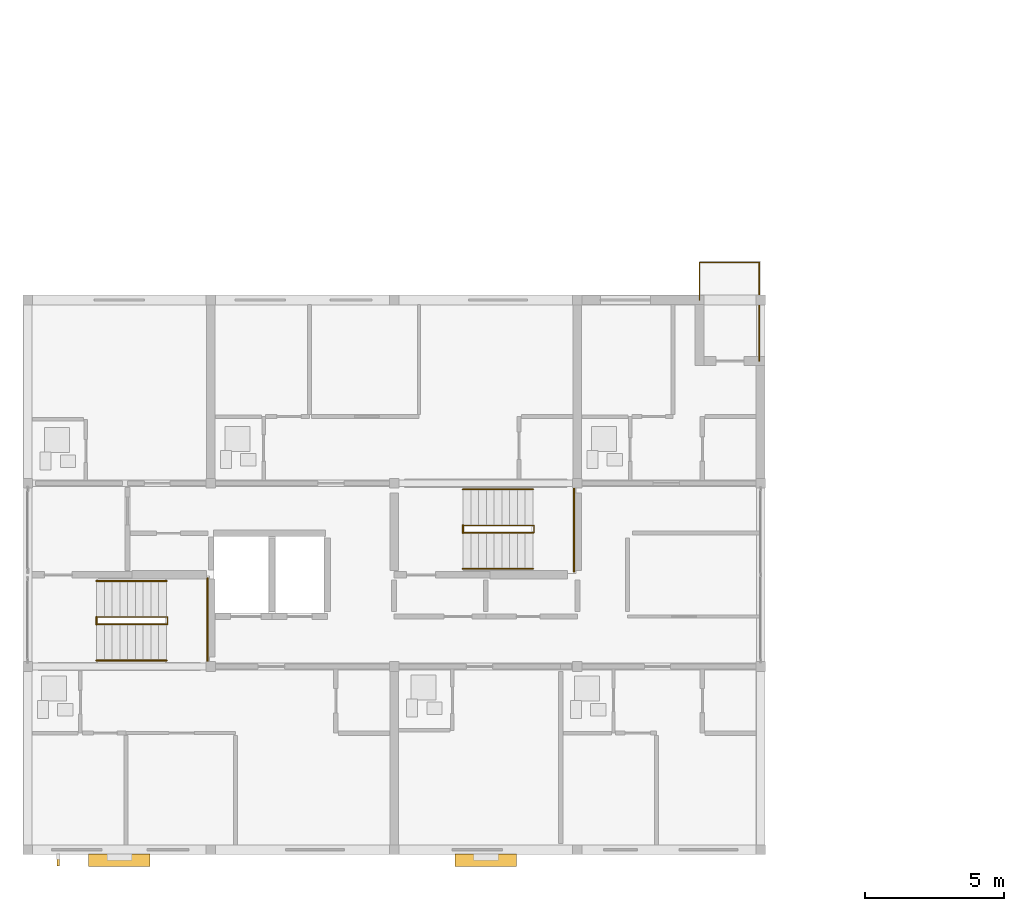
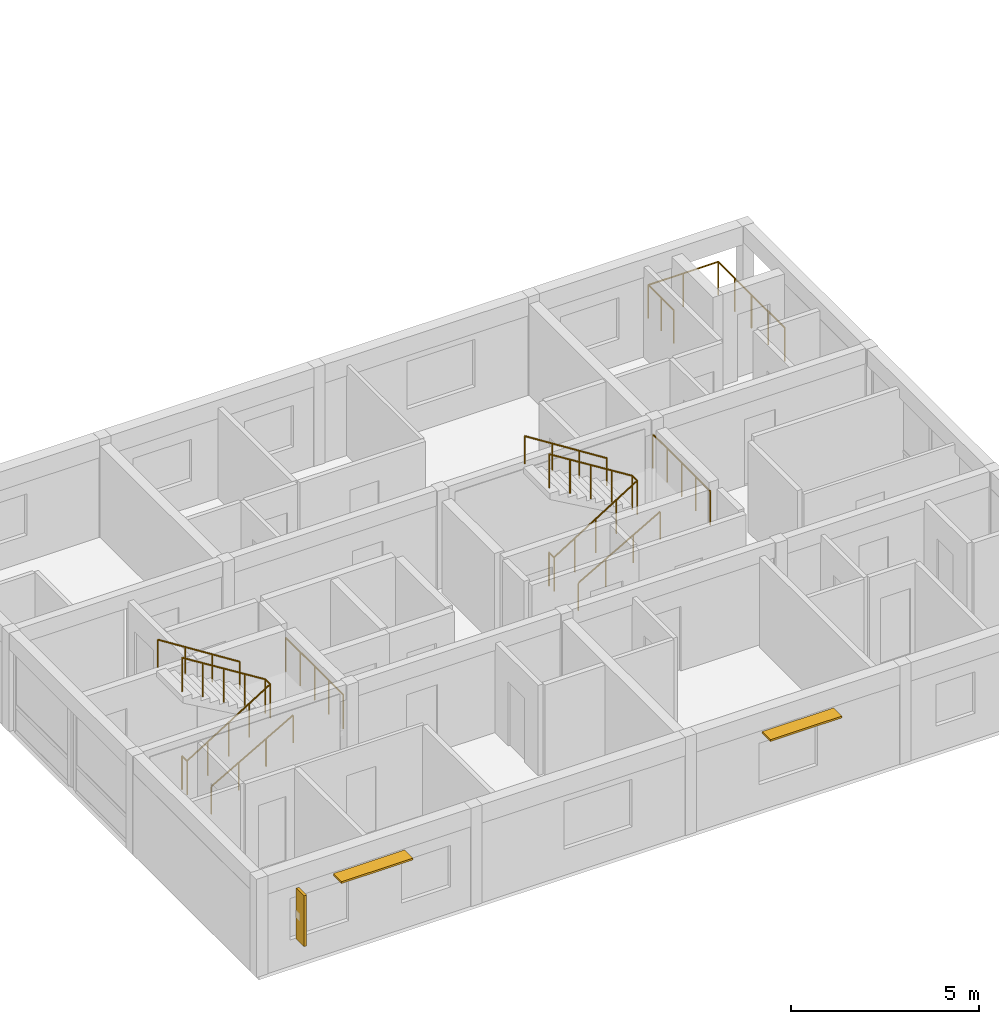
# One storey, part 47 of 53: 11 railings, 3 shading devices.
"""IFC4 building model written with IfcOpenShell, lengths in metres."""

from ifc_helpers import new_model, si_unit, direction, frame, origin, origin_2d, place, context, subcontext, project, spatial, rectangle, circle, extrude, material, layer, layer_set, type_object, element, save


model = new_model("IFC4")

# Units and contexts
model_context = context("Model", 3, precision=1e-05, world=origin(), true_north=direction((0.0, 1.0)))
body_context = subcontext(model_context, "Body", "Model", "MODEL_VIEW")
ifc_project = project(units=[si_unit("LENGTHUNIT", "METRE"), si_unit("AREAUNIT", "SQUARE_METRE"), si_unit("VOLUMEUNIT", "CUBIC_METRE"), si_unit("PLANEANGLEUNIT", "RADIAN"), si_unit("MASSUNIT", "GRAM", prefix="KILO")], contexts=[model_context])

# Site, building, storey
site_placement = place(None, origin())
site = spatial("IfcSite", under=ifc_project, at=site_placement, CompositionType="ELEMENT")
building_placement = place(site_placement, origin())
building = spatial("IfcBuilding", under=site, at=building_placement, Name="Kernevlak Ridge Housing Community", CompositionType="ELEMENT")
storey_placement = place(building_placement, frame((0.0, 0.0, 24.39990234375)))
storey = spatial("IfcBuildingStorey", under=building, at=storey_placement, Name="L07", CompositionType="ELEMENT", Elevation=24.39990234375)

# Railings
ifc_material_1 = material(Name="Steel S355", Category="steel")
railing_type_1 = type_object("IfcRailingType", Name="BL-01", PredefinedType="BALUSTRADE", material=ifc_material_1)
railing_1_placement = place(storey_placement, frame((39.800048828125, 35.39990234375, 0.0)))
element("IfcRailing", 1, at=railing_1_placement, inside=storey, type_object=railing_type_1, Name="Block D L07 balcony balustrade BL-01 53", PredefinedType="BALUSTRADE", context=body_context, shape_type="SweptSolid", body=[
    extrude(circle(Radius=0.02392578125, at=origin_2d()), frame((0.0, 0.0, 1.076171875), z_axis=(0.0, 1.0, 0.0), x_axis=(-1.0, 0.0, 0.0)), (0.0, 0.0, 1.0), 1.35009765625),
    extrude(circle(Radius=0.02392578125, at=origin_2d()), frame((0.0, 1.35009765625, 1.076171875), z_axis=(1.0, 0.0, 0.0), x_axis=(0.0, 1.0, 0.0)), (0.0, 0.0, 1.0), 2.14990234375),
    extrude(circle(Radius=0.02392578125, at=origin_2d()), frame((2.14990234375, 1.35009765625, 1.076171875), z_axis=(0.0, -1.0, 0.0), x_axis=(1.0, 0.0, 0.0)), (0.0, 0.0, 1.0), 3.550048828125),
    extrude(circle(Radius=0.02099609375, at=origin_2d()), origin(), (0.0, 0.0, 1.0), 1.052001953125),
    extrude(circle(Radius=0.02099609375, at=origin_2d()), frame((0.0, 0.675048828125, 0.0)), (0.0, 0.0, 1.0), 1.052001953125),
    extrude(circle(Radius=0.02099609375, at=origin_2d()), frame((0.0, 1.35009765625, 0.0)), (0.0, 0.0, 1.0), 1.052001953125),
    extrude(circle(Radius=0.02099609375, at=origin_2d()), frame((1.074951171875, 1.35009765625, 0.0)), (0.0, 0.0, 1.0), 1.052001953125),
    extrude(circle(Radius=0.02099609375, at=origin_2d()), frame((2.14990234375, 1.35009765625, 0.0)), (0.0, 0.0, 1.0), 1.052001953125),
    extrude(circle(Radius=0.02099609375, at=origin_2d()), frame((2.14990234375, 0.462646484375, 0.0)), (0.0, 0.0, 1.0), 1.052001953125),
    extrude(circle(Radius=0.02099609375, at=origin_2d()), frame((2.14990234375, -0.4248046875, 0.0)), (0.0, 0.0, 1.0), 1.052001953125),
    extrude(circle(Radius=0.02099609375, at=origin_2d()), frame((2.14990234375, -1.3125, 0.0)), (0.0, 0.0, 1.0), 1.052001953125),
    extrude(circle(Radius=0.02099609375, at=origin_2d()), frame((2.14990234375, -2.199951171875, 0.0)), (0.0, 0.0, 1.0), 1.052001953125),
])
railing_type_2 = type_object("IfcRailingType", Name="GR-02", PredefinedType="GUARDRAIL", material=ifc_material_1)
railing_2_placement = place(storey_placement, frame((18.080078125, 23.7099609375, 0.0)))
element("IfcRailing", 2, at=railing_2_placement, inside=storey, type_object=railing_type_2, Name="Stair ST-D1 L07 well slot guard", PredefinedType="GUARDRAIL", context=body_context, shape_type="SweptSolid", body=[
    extrude(circle(Radius=0.02392578125, at=origin_2d()), frame((0.0, 0.0, 1.09619140625), z_axis=(0.0, 1.0, 0.0), x_axis=(-1.0, 0.0, 0.0)), (0.0, 0.0, 1.0), 0.280029296875),
    extrude(circle(Radius=0.02099609375, at=origin_2d()), origin(), (0.0, 0.0, 1.0), 1.072021484375),
    extrude(circle(Radius=0.02099609375, at=origin_2d()), frame((0.0, 0.280029296875, 0.0)), (0.0, 0.0, 1.0), 1.072021484375),
])
railing_3_placement = place(storey_placement, frame((18.080078125, 23.719970703125, 0.0)))
element("IfcRailing", 3, at=railing_3_placement, inside=storey, type_object=railing_type_2, Name="Stair ST-D1 L07 inner well guardrail", PredefinedType="GUARDRAIL", context=body_context, shape_type="SweptSolid", body=[
    extrude(circle(Radius=0.02392578125, at=origin_2d()), frame((0.0, 0.0, 1.09619140625), z_axis=(0.847966497998, 0.0, 0.530049826217), x_axis=(0.0, 1.0, 0.0)), (0.0, 0.0, 1.0), 3.018798828125),
    extrude(circle(Radius=0.02392578125, at=origin_2d()), frame((2.559814453125, 0.0, 2.6962890625), z_axis=(0.0, 1.0, 0.0), x_axis=(-1.0, 0.0, 0.0)), (0.0, 0.0, 1.0), 0.260009765625),
    extrude(circle(Radius=0.02392578125, at=origin_2d()), frame((2.559814453125, 0.260009765625, 2.6962890625), z_axis=(-0.847966497998, 0.0, 0.530049826217), x_axis=(0.0, -1.0, 0.0)), (0.0, 0.0, 1.0), 3.018798828125),
    extrude(circle(Radius=0.02099609375, at=origin_2d()), origin(), (0.0, 0.0, 1.0), 1.072021484375),
    extrude(circle(Radius=0.02099609375, at=origin_2d()), frame((0.639892578125, 0.0, 0.39990234375)), (0.0, 0.0, 1.0), 1.072021484375),
    extrude(circle(Radius=0.02099609375, at=origin_2d()), frame((1.27978515625, 0.0, 0.800048828125)), (0.0, 0.0, 1.0), 1.072021484375),
    extrude(circle(Radius=0.02099609375, at=origin_2d()), frame((1.919921875, 0.0, 1.2001953125)), (0.0, 0.0, 1.0), 1.072021484375),
    extrude(circle(Radius=0.02099609375, at=origin_2d()), frame((2.559814453125, 0.0, 1.60009765625)), (0.0, 0.0, 1.0), 1.072021484375),
    extrude(circle(Radius=0.02099609375, at=origin_2d()), frame((2.559814453125, 0.260009765625, 1.60009765625)), (0.0, 0.0, 1.0), 1.072021484375),
    extrude(circle(Radius=0.02099609375, at=origin_2d()), frame((1.919921875, 0.260009765625, 2.0)), (0.0, 0.0, 1.0), 1.072021484375),
    extrude(circle(Radius=0.02099609375, at=origin_2d()), frame((1.27978515625, 0.260009765625, 2.400146484375)), (0.0, 0.0, 1.0), 1.072021484375),
    extrude(circle(Radius=0.02099609375, at=origin_2d()), frame((0.639892578125, 0.260009765625, 2.80029296875)), (0.0, 0.0, 1.0), 1.072021484375),
    extrude(circle(Radius=0.02099609375, at=origin_2d()), frame((0.0, 0.260009765625, 3.2001953125)), (0.0, 0.0, 1.0), 1.072021484375),
])
railing_4_placement = place(storey_placement, frame((22.080078125, 22.320068359375, 1.60009765625)))
element("IfcRailing", 4, at=railing_4_placement, inside=storey, type_object=railing_type_2, Name="Stair ST-D1 L07 half-landing guard", PredefinedType="GUARDRAIL", context=body_context, shape_type="SweptSolid", body=[
    extrude(circle(Radius=0.02392578125, at=origin_2d()), frame((0.0, 0.0, 1.09619140625), z_axis=(0.0, 1.0, 0.0), x_axis=(-1.0, 0.0, 0.0)), (0.0, 0.0, 1.0), 3.059814453125),
    extrude(circle(Radius=0.02099609375, at=origin_2d()), origin(), (0.0, 0.0, 1.0), 1.072021484375),
    extrude(circle(Radius=0.02099609375, at=origin_2d()), frame((0.0, 0.764892578125, 0.0)), (0.0, 0.0, 1.0), 1.072021484375),
    extrude(circle(Radius=0.02099609375, at=origin_2d()), frame((0.0, 1.52978515625, 0.0)), (0.0, 0.0, 1.0), 1.072021484375),
    extrude(circle(Radius=0.02099609375, at=origin_2d()), frame((0.0, 2.294921875, 0.0)), (0.0, 0.0, 1.0), 1.072021484375),
    extrude(circle(Radius=0.02099609375, at=origin_2d()), frame((0.0, 3.059814453125, 0.0)), (0.0, 0.0, 1.0), 1.072021484375),
])
railing_5_placement = place(storey_placement, frame((31.280029296875, 27.010009765625, 0.0)))
element("IfcRailing", 5, at=railing_5_placement, inside=storey, type_object=railing_type_2, Name="Stair ST-D2 L07 well slot guard", PredefinedType="GUARDRAIL", context=body_context, shape_type="SweptSolid", body=[
    extrude(circle(Radius=0.02392578125, at=origin_2d()), frame((0.0, 0.0, 1.09619140625), z_axis=(0.0, 1.0, 0.0), x_axis=(-1.0, 0.0, 0.0)), (0.0, 0.0, 1.0), 0.280029296875),
    extrude(circle(Radius=0.02099609375, at=origin_2d()), origin(), (0.0, 0.0, 1.0), 1.072021484375),
    extrude(circle(Radius=0.02099609375, at=origin_2d()), frame((0.0, 0.280029296875, 0.0)), (0.0, 0.0, 1.0), 1.072021484375),
])
railing_6_placement = place(storey_placement, frame((31.280029296875, 27.02001953125, 0.0)))
element("IfcRailing", 6, at=railing_6_placement, inside=storey, type_object=railing_type_2, Name="Stair ST-D2 L07 inner well guardrail", PredefinedType="GUARDRAIL", context=body_context, shape_type="SweptSolid", body=[
    extrude(circle(Radius=0.02392578125, at=origin_2d()), frame((0.0, 0.0, 1.09619140625), z_axis=(0.847989217509, 0.0, 0.530013478119), x_axis=(0.0, 1.0, 0.0)), (0.0, 0.0, 1.0), 3.01904296875),
    extrude(circle(Radius=0.02392578125, at=origin_2d()), frame((2.56005859375, 0.0, 2.6962890625), z_axis=(0.0, 1.0, 0.0), x_axis=(-1.0, 0.0, 0.0)), (0.0, 0.0, 1.0), 0.260009765625),
    extrude(circle(Radius=0.02392578125, at=origin_2d()), frame((2.56005859375, 0.260009765625, 2.6962890625), z_axis=(-0.847989217509, 0.0, 0.530013478119), x_axis=(0.0, -1.0, 0.0)), (0.0, 0.0, 1.0), 3.01904296875),
    extrude(circle(Radius=0.02099609375, at=origin_2d()), origin(), (0.0, 0.0, 1.0), 1.072021484375),
    extrude(circle(Radius=0.02099609375, at=origin_2d()), frame((0.64013671875, 0.0, 0.39990234375)), (0.0, 0.0, 1.0), 1.072021484375),
    extrude(circle(Radius=0.02099609375, at=origin_2d()), frame((1.280029296875, 0.0, 0.800048828125)), (0.0, 0.0, 1.0), 1.072021484375),
    extrude(circle(Radius=0.02099609375, at=origin_2d()), frame((1.919921875, 0.0, 1.2001953125)), (0.0, 0.0, 1.0), 1.072021484375),
    extrude(circle(Radius=0.02099609375, at=origin_2d()), frame((2.56005859375, 0.0, 1.60009765625)), (0.0, 0.0, 1.0), 1.072021484375),
    extrude(circle(Radius=0.02099609375, at=origin_2d()), frame((2.56005859375, 0.260009765625, 1.60009765625)), (0.0, 0.0, 1.0), 1.072021484375),
    extrude(circle(Radius=0.02099609375, at=origin_2d()), frame((1.919921875, 0.260009765625, 2.0)), (0.0, 0.0, 1.0), 1.072021484375),
    extrude(circle(Radius=0.02099609375, at=origin_2d()), frame((1.280029296875, 0.260009765625, 2.400146484375)), (0.0, 0.0, 1.0), 1.072021484375),
    extrude(circle(Radius=0.02099609375, at=origin_2d()), frame((0.64013671875, 0.260009765625, 2.80029296875)), (0.0, 0.0, 1.0), 1.072021484375),
    extrude(circle(Radius=0.02099609375, at=origin_2d()), frame((0.0, 0.260009765625, 3.2001953125)), (0.0, 0.0, 1.0), 1.072021484375),
])
railing_7_placement = place(storey_placement, frame((35.280029296875, 25.6201171875, 1.60009765625)))
element("IfcRailing", 7, at=railing_7_placement, inside=storey, type_object=railing_type_2, Name="Stair ST-D2 L07 half-landing guard", PredefinedType="GUARDRAIL", context=body_context, shape_type="SweptSolid", body=[
    extrude(circle(Radius=0.02392578125, at=origin_2d()), frame((0.0, 0.0, 1.09619140625), z_axis=(0.0, 1.0, 0.0), x_axis=(-1.0, 0.0, 0.0)), (0.0, 0.0, 1.0), 3.059814453125),
    extrude(circle(Radius=0.02099609375, at=origin_2d()), origin(), (0.0, 0.0, 1.0), 1.072021484375),
    extrude(circle(Radius=0.02099609375, at=origin_2d()), frame((0.0, 0.764892578125, 0.0)), (0.0, 0.0, 1.0), 1.072021484375),
    extrude(circle(Radius=0.02099609375, at=origin_2d()), frame((0.0, 1.52978515625, 0.0)), (0.0, 0.0, 1.0), 1.072021484375),
    extrude(circle(Radius=0.02099609375, at=origin_2d()), frame((0.0, 2.294921875, 0.0)), (0.0, 0.0, 1.0), 1.072021484375),
    extrude(circle(Radius=0.02099609375, at=origin_2d()), frame((0.0, 3.059814453125, 0.0)), (0.0, 0.0, 1.0), 1.072021484375),
])
ifc_material_2 = material(Name="Stainless steel EN 1.4401", Category="steel")
railing_type_3 = type_object("IfcRailingType", Name="HR-01", PredefinedType="HANDRAIL", material=ifc_material_2)
railing_8_placement = place(storey_placement, frame((18.080078125, 22.419921875, 0.16015625)))
element("IfcRailing", 8, at=railing_8_placement, inside=storey, type_object=railing_type_3, Name="Stair ST-D1 L07 flight 1 handrail", PredefinedType="HANDRAIL", context=body_context, shape_type="SweptSolid", body=[
    extrude(circle(Radius=0.02392578125, at=origin_2d()), frame((0.0, 0.0, 0.89599609375), z_axis=(0.868253494771, 0.0, 0.496120820787), x_axis=(0.0, 1.0, 0.0)), (0.0, 0.0, 1.0), 2.90234375),
    extrude(circle(Radius=0.02099609375, at=origin_2d()), origin(), (0.0, 0.0, 1.0), 0.871826171875),
    extrude(circle(Radius=0.02099609375, at=origin_2d()), frame((0.840087890625, 0.0, 0.47998046875)), (0.0, 0.0, 1.0), 0.871826171875),
    extrude(circle(Radius=0.02099609375, at=origin_2d()), frame((1.679931640625, 0.0, 0.9599609375)), (0.0, 0.0, 1.0), 0.871826171875),
    extrude(circle(Radius=0.02099609375, at=origin_2d()), frame((2.52001953125, 0.0, 1.43994140625)), (0.0, 0.0, 1.0), 0.871826171875),
])
railing_9_placement = place(storey_placement, frame((20.60009765625, 25.280029296875, 1.60009765625)))
element("IfcRailing", 9, at=railing_9_placement, inside=storey, type_object=railing_type_3, Name="Stair ST-D1 L07 flight 2 handrail", PredefinedType="HANDRAIL", context=body_context, shape_type="SweptSolid", body=[
    extrude(circle(Radius=0.02392578125, at=origin_2d()), frame((0.0, 0.0, 0.89599609375), z_axis=(-0.844199891302, 0.0, 0.536028491338), x_axis=(0.0, -1.0, 0.0)), (0.0, 0.0, 1.0), 2.985107421875),
    extrude(circle(Radius=0.02099609375, at=origin_2d()), origin(), (0.0, 0.0, 1.0), 0.871826171875),
    extrude(circle(Radius=0.02099609375, at=origin_2d()), frame((-0.840087890625, 0.0, 0.533447265625)), (0.0, 0.0, 1.0), 0.871826171875),
    extrude(circle(Radius=0.02099609375, at=origin_2d()), frame((-1.679931640625, 0.0, 1.066650390625)), (0.0, 0.0, 1.0), 0.871826171875),
    extrude(circle(Radius=0.02099609375, at=origin_2d()), frame((-2.52001953125, 0.0, 1.60009765625)), (0.0, 0.0, 1.0), 0.871826171875),
])
railing_10_placement = place(storey_placement, frame((31.280029296875, 25.719970703125, 0.16015625)))
element("IfcRailing", 10, at=railing_10_placement, inside=storey, type_object=railing_type_3, Name="Stair ST-D2 L07 flight 1 handrail", PredefinedType="HANDRAIL", context=body_context, shape_type="SweptSolid", body=[
    extrude(circle(Radius=0.02392578125, at=origin_2d()), frame((0.0, 0.0, 0.89599609375), z_axis=(0.868253494771, 0.0, 0.496120820787), x_axis=(0.0, 1.0, 0.0)), (0.0, 0.0, 1.0), 2.90234375),
    extrude(circle(Radius=0.02099609375, at=origin_2d()), origin(), (0.0, 0.0, 1.0), 0.871826171875),
    extrude(circle(Radius=0.02099609375, at=origin_2d()), frame((0.840087890625, 0.0, 0.47998046875)), (0.0, 0.0, 1.0), 0.871826171875),
    extrude(circle(Radius=0.02099609375, at=origin_2d()), frame((1.679931640625, 0.0, 0.9599609375)), (0.0, 0.0, 1.0), 0.871826171875),
    extrude(circle(Radius=0.02099609375, at=origin_2d()), frame((2.52001953125, 0.0, 1.43994140625)), (0.0, 0.0, 1.0), 0.871826171875),
])
railing_11_placement = place(storey_placement, frame((33.800048828125, 28.580078125, 1.60009765625)))
element("IfcRailing", 11, at=railing_11_placement, inside=storey, type_object=railing_type_3, Name="Stair ST-D2 L07 flight 2 handrail", PredefinedType="HANDRAIL", context=body_context, shape_type="SweptSolid", body=[
    extrude(circle(Radius=0.02392578125, at=origin_2d()), frame((0.0, 0.0, 0.89599609375), z_axis=(-0.844199891302, 0.0, 0.536028491338), x_axis=(0.0, -1.0, 0.0)), (0.0, 0.0, 1.0), 2.985107421875),
    extrude(circle(Radius=0.02099609375, at=origin_2d()), origin(), (0.0, 0.0, 1.0), 0.871826171875),
    extrude(circle(Radius=0.02099609375, at=origin_2d()), frame((-0.840087890625, 0.0, 0.533447265625)), (0.0, 0.0, 1.0), 0.871826171875),
    extrude(circle(Radius=0.02099609375, at=origin_2d()), frame((-1.679931640625, 0.0, 1.066650390625)), (0.0, 0.0, 1.0), 0.871826171875),
    extrude(circle(Radius=0.02099609375, at=origin_2d()), frame((-2.52001953125, 0.0, 1.60009765625)), (0.0, 0.0, 1.0), 0.871826171875),
])

# Shading devices
ifc_material_3 = material(Name="Aluminium EN AW-6060 anodised", Category="aluminium")
ifc_layer = layer(ifc_material_3, 0.06005859375, Name="Aluminium EN AW-6060 anodised")
ifc_layer_set = layer_set([ifc_layer], Name="Aluminium EN AW-6060 anodised")
shading_device_type_1 = type_object("IfcShadingDeviceType", Name="LV-01", PredefinedType="JALOUSIE", material=ifc_layer_set)
for number, where, z_axis, x_axis, name in (
    (12, (18.89990234375, 15.219970703125, 2.489990234375), (0.0, 0.0, 1.0), (1.0, 0.0, 0.0), "Horizontal solar louvre 43"),
    (13, (32.10009765625, 15.219970703125, 2.489990234375), (0.0, 0.0, 1.0), (1.0, 0.0, 0.0), "Horizontal solar louvre 44"),
):
    element("IfcShadingDevice", number, at=place(storey_placement, frame(where, z_axis=z_axis, x_axis=x_axis)), inside=storey, type_object=shading_device_type_1, Name=name, PredefinedType="JALOUSIE", context=body_context, shape_type="SweptSolid", body=[
        extrude(rectangle(XDim=2.199951171875, YDim=0.43994140625, at=origin_2d()), origin(), (0.0, 0.0, 1.0), 0.06005859375),
    ])
ifc_material_4 = material(Name="Aluminium EN AW-6060 enamelled", Category="aluminium")
shading_device_type_2 = type_object("IfcShadingDeviceType", Name="LV-02", PredefinedType="USERDEFINED", material=ifc_material_4)
shading_device_placement = place(storey_placement, frame((16.699951171875, 15.22998046875, 0.8251953125), z_axis=(0.0, 0.0, 1.0), x_axis=(1.0, 0.0, 0.0)))
element("IfcShadingDevice", 14, at=shading_device_placement, inside=storey, type_object=shading_device_type_2, Name="De Stijl yellow vertical solar fin 43", ObjectType="LOUVRE", PredefinedType="USERDEFINED", context=body_context, shape_type="SweptSolid", body=[
    extrude(rectangle(XDim=0.080078125, YDim=0.419921875, at=origin_2d()), origin(), (0.0, 0.0, 1.0), 1.64990234375),
])

save(model, "model.ifc")
